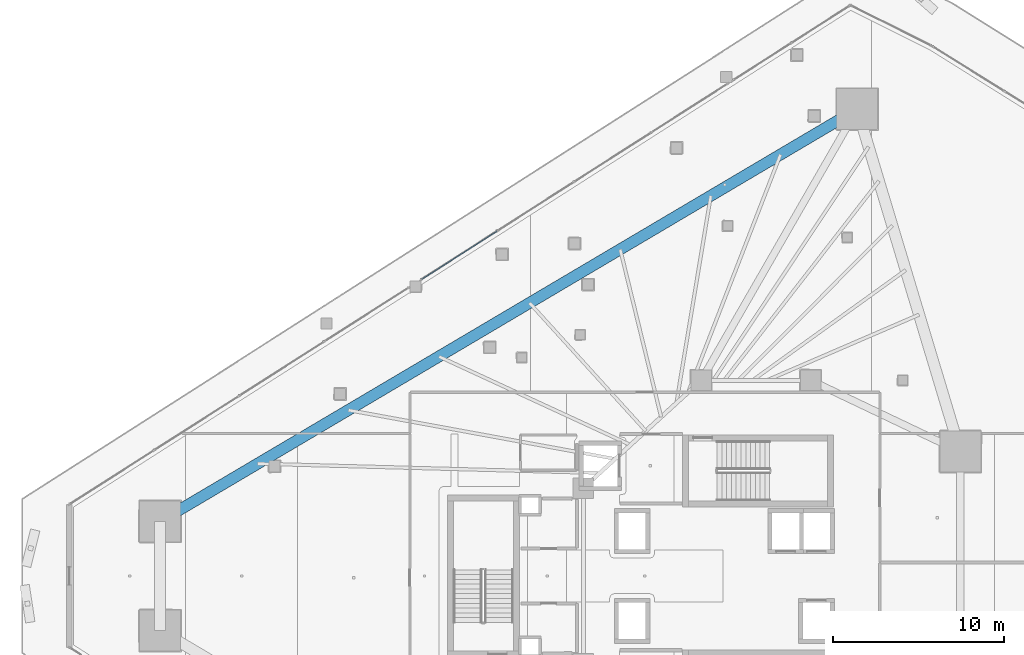
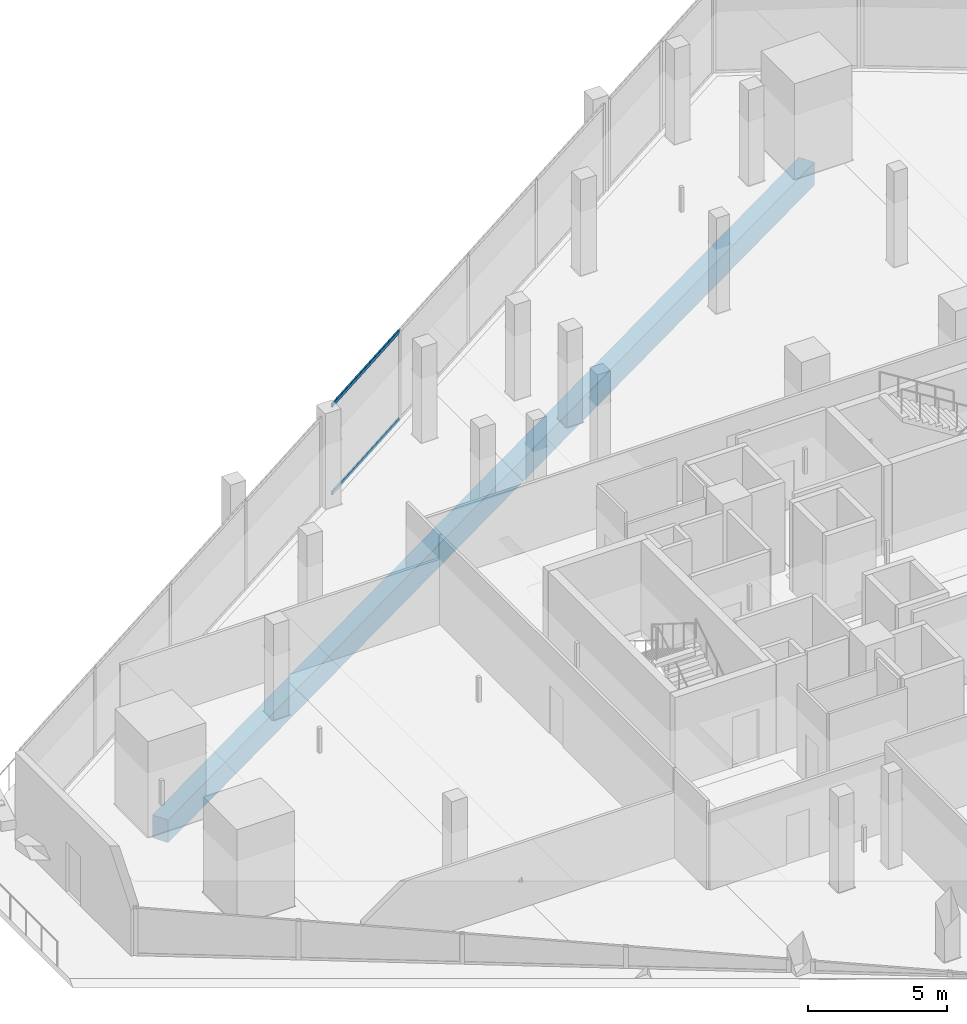
# One storey, part 17 of 44: 2 members, 1 beam, 1 element without a shape of its own.
"""IFC4 building model written with IfcOpenShell, lengths in metres."""

from ifc_helpers import new_model, si_unit, direction, frame, origin, origin_2d, place, context, subcontext, project, spatial, rectangle, hollow_rectangle, extrude, material, layer, layer_set, material_profile, profile_set, type_object, element, aggregate, save


model = new_model("IFC4")

# Units and contexts
model_context = context("Model", 3, precision=1e-05, world=origin(), true_north=direction((0.0, 1.0)))
body_context = subcontext(model_context, "Body", "Model", "MODEL_VIEW")
ifc_project = project(units=[si_unit("LENGTHUNIT", "METRE"), si_unit("AREAUNIT", "SQUARE_METRE"), si_unit("VOLUMEUNIT", "CUBIC_METRE"), si_unit("PLANEANGLEUNIT", "RADIAN"), si_unit("MASSUNIT", "GRAM", prefix="KILO")], contexts=[model_context])

# Site, building, storey
site_placement = place(None, origin())
site = spatial("IfcSite", under=ifc_project, at=site_placement, CompositionType="ELEMENT")
building_placement = place(site_placement, origin())
building = spatial("IfcBuilding", under=site, at=building_placement, Name="Qorvath Tower", CompositionType="ELEMENT")
storey_placement = place(building_placement, frame((0.0, 0.0, 40.800048828125)))
storey = spatial("IfcBuildingStorey", under=building, at=storey_placement, Name="L08", CompositionType="ELEMENT", Elevation=40.800048828125)

# Beam
ifc_material_1 = material(Name="Concrete C50/60", Category="concrete")
ifc_material_profile_1 = material_profile(ifc_material_1, rectangle(XDim=0.64990234375, YDim=1.0, at=origin_2d()), Name="RCB 1000x650")
ifc_profile_set_1 = profile_set([ifc_material_profile_1], Name="Concrete C50/60")
beam_type = type_object("IfcBeamType", Name="BM-RCB1", PredefinedType="SPANDREL", material=ifc_profile_set_1)
beam_placement = place(storey_placement, frame((-14.46435546875, 27.330810546875, -0.780029296875), z_axis=(-0.860777360917, -0.508981664633, 0.0), x_axis=(0.508981664633, -0.860777360917, 0.0)))
element("IfcBeam", 1, at=beam_placement, inside=storey, type_object=beam_type, Name="Perimeter Loggia Frame Beam MC6-MC1 L08", PredefinedType="SPANDREL", context=body_context, shape_type="SweptSolid", body=[
    extrude(rectangle(XDim=0.64990234375, YDim=1.0, at=origin_2d()), origin(), (0.0, 0.0, 1.0), 47.420654296875),
])

# Curtain wall, members
ifc_material_2 = material(Name="Anodised aluminium and triple low-E glass", Category="aluminium")
ifc_layer = layer(ifc_material_2, 0.179931640625)
ifc_layer_set = layer_set([ifc_layer], Name="CW-SYS-2")
curtain_wall_type = type_object("IfcCurtainWallType", Name="CW-SYS-2", PredefinedType="NOTDEFINED", material=ifc_layer_set)
curtain_wall_placement = place(storey_placement, origin())
curtain_wall = element("IfcCurtainWall", 2, at=curtain_wall_placement, inside=storey, type_object=curtain_wall_type, Name="Curtain Wall CW-2 CW-T-L08-16.2", PredefinedType="NOTDEFINED")
ifc_material_3 = material(Name="Anodised aluminium 6063-T6", Category="aluminium")
ifc_material_profile_2 = material_profile(ifc_material_3, hollow_rectangle(XDim=0.06494140625, YDim=0.159912109375, WallThickness=0.00341796875, InnerFilletRadius=0.00341796875, OuterFilletRadius=0.007080078125, at=origin_2d()), Name="CWT 160x65")
ifc_profile_set_2 = profile_set([ifc_material_profile_2], Name="Anodised aluminium 6063-T6")
member_type = type_object("IfcMemberType", Name="CWT-160", PredefinedType="USERDEFINED", material=ifc_profile_set_2)
member_1_placement = place(storey_placement, frame((-35.5517578125, 20.185791015625, 0.032470703125), z_axis=(-0.842592429827, -0.53855175907, 0.0), x_axis=(0.53855175907, -0.842592429827, 0.0)))
member_1 = element("IfcMember", 3, at=member_1_placement, type_object=member_type, Name="CW-2 transom 4.1", ObjectType="TRANSOM", PredefinedType="USERDEFINED", context=body_context, shape_type="SweptSolid", body=[
    extrude(hollow_rectangle(XDim=0.06494140625, YDim=0.159912109375, WallThickness=0.00341796875, InnerFilletRadius=0.00341796875, OuterFilletRadius=0.007080078125, at=origin_2d()), origin(), (0.0, 0.0, 1.0), 5.245849609375),
])
member_2_placement = place(storey_placement, frame((-35.5517578125, 20.185791015625, 3.887451171875), z_axis=(-0.842592429827, -0.53855175907, 0.0), x_axis=(0.53855175907, -0.842592429827, 0.0)))
member_2 = element("IfcMember", 4, at=member_2_placement, type_object=member_type, Name="CW-2 transom 4.2", ObjectType="TRANSOM", PredefinedType="USERDEFINED", context=body_context, shape_type="SweptSolid", body=[
    extrude(hollow_rectangle(XDim=0.06494140625, YDim=0.159912109375, WallThickness=0.00341796875, InnerFilletRadius=0.00341796875, OuterFilletRadius=0.007080078125, at=origin_2d()), origin(), (0.0, 0.0, 1.0), 5.245849609375),
])
aggregate(curtain_wall, [member_1, member_2])

save(model, "model.ifc")
